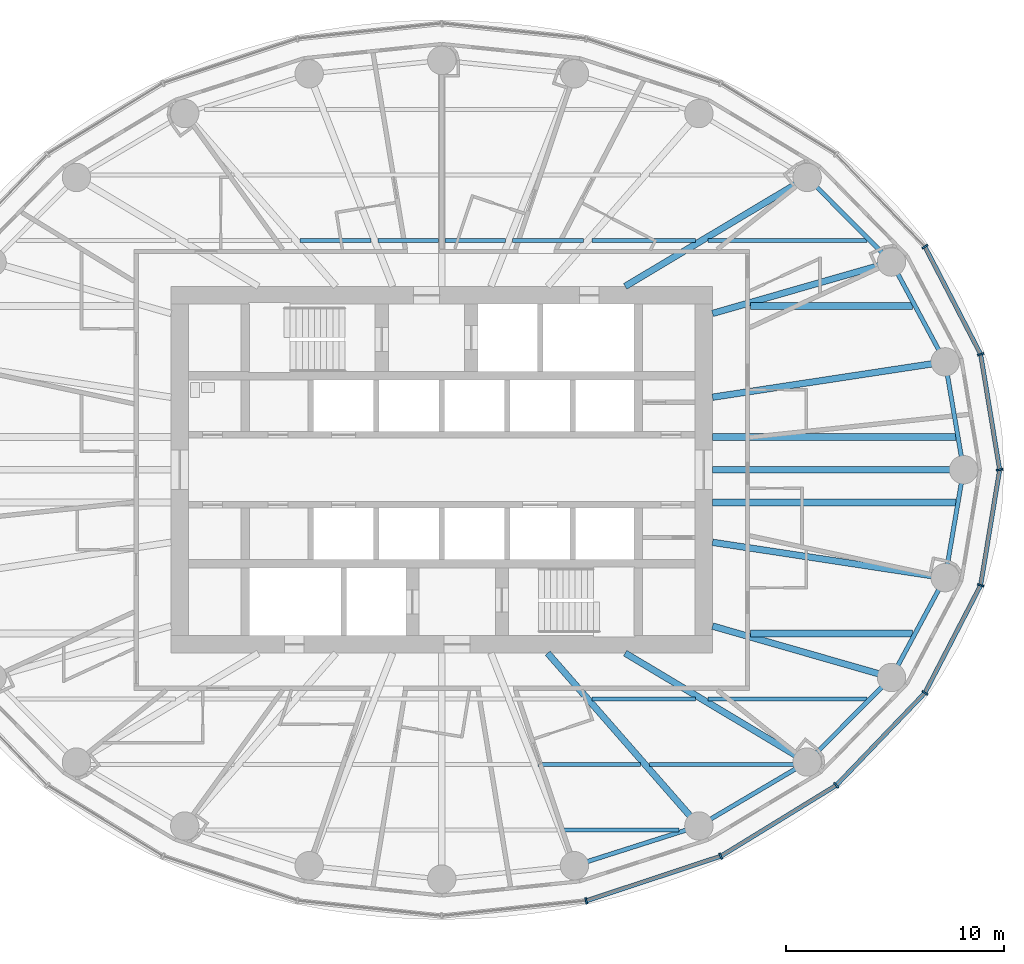
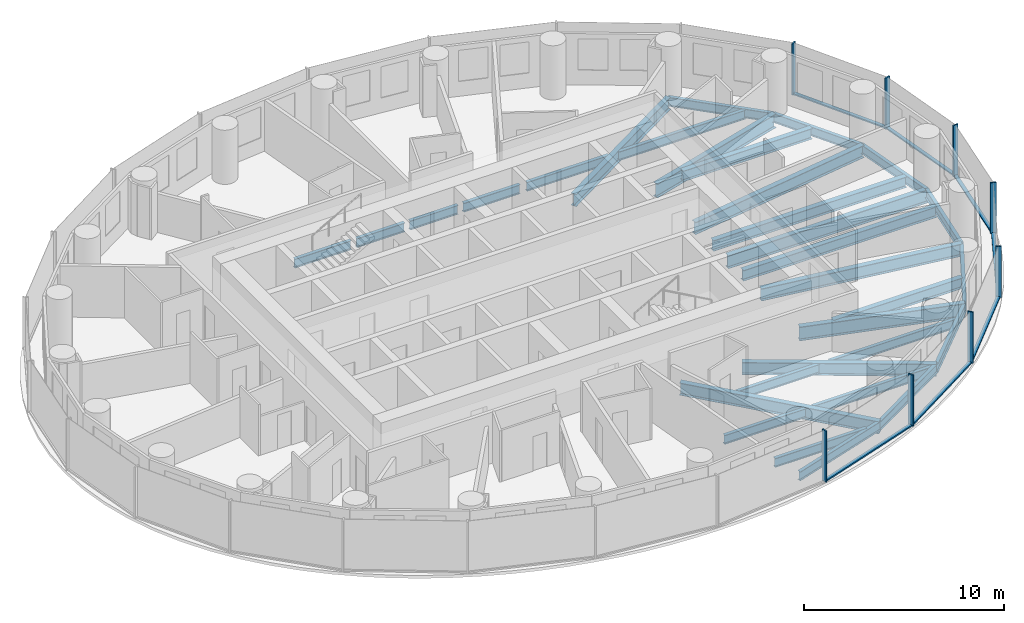
# One storey, part 3 of 14: 31 beams, 15 members, 2 elements without a shape of their own.
"""IFC4 building model written with IfcOpenShell, lengths in metres."""

import ifcopenshell
import ifcopenshell.guid

model = None  # the IFC model being written
_history = None  # IfcOwnerHistory: only IFC2X3 demands one
_inside = {}  # id of a spatial element -> (the spatial element, [elements in it])
_under = {}  # id of a project, library or spatial element -> (it, [spatial elements below it])
_declared = {}  # id of a project -> (the project, [libraries it declares])
_typed = {}  # id of a type object -> (the type object, [elements of that type])
_made_of = {}  # id of a material, layer set ... -> (it, [elements and type objects made of it])


def new_model(schema):
    """Start an empty IFC model of exactly this schema.

    Asked for "IFC4X3", IfcOpenShell would pick the latest addendum, in which some entities
    have other attributes; the version numbers below select the first issue.
    IFC2X3 requires an IfcOwnerHistory on every rooted entity: one is made here for all.
    """
    global model, _history
    if schema == "IFC4X3":
        model = ifcopenshell.file(schema_version=(4, 3, 0, 0))
    else:
        model = ifcopenshell.file(schema=schema)
    _inside.clear()
    _under.clear()
    _declared.clear()
    _typed.clear()
    _made_of.clear()
    _history = None
    if model.schema == "IFC2X3":
        org = make("IfcOrganization", Name="unknown")
        user = make(
            "IfcPersonAndOrganization",
            ThePerson=make("IfcPerson", FamilyName="unknown"),
            TheOrganization=org,
        )
        app = make(
            "IfcApplication",
            ApplicationDeveloper=org,
            Version="unknown",
            ApplicationFullName="unknown",
            ApplicationIdentifier="unknown",
        )
        _history = make(
            "IfcOwnerHistory",
            OwningUser=user,
            OwningApplication=app,
            ChangeAction="ADDED",
            CreationDate=0,
        )
    return model


def make(cls, **values):
    """One entity of the class cls with the attributes given. An attribute that is None is left unset."""
    return model.create_entity(
        cls, **{name: value for name, value in values.items() if value is not None}
    )


def rooted(cls, **values):
    """An entity with a GlobalId (a new one), such as an element, a storey or a relation."""
    return make(cls, GlobalId=ifcopenshell.guid.new(), OwnerHistory=_history, **values)


def si_unit(unit_type, name, prefix=None):
    """IfcSIUnit, for example si_unit("LENGTHUNIT", "METRE", prefix="MILLI")."""
    return make("IfcSIUnit", UnitType=unit_type, Prefix=prefix, Name=name)


def assignment(units):
    """IfcUnitAssignment: the units of a project."""
    return None if units is None else make("IfcUnitAssignment", Units=units)


def point(xyz):
    """IfcCartesianPoint."""
    return None if xyz is None else make("IfcCartesianPoint", Coordinates=xyz)


def direction(xyz):
    """IfcDirection."""
    return None if xyz is None else make("IfcDirection", DirectionRatios=xyz)


def frame(location, z_axis=None, x_axis=None):
    """IfcAxis2Placement3D, a coordinate frame: its origin and axes. An axis left out is left unset."""
    return make(
        "IfcAxis2Placement3D",
        Location=point(location),
        Axis=direction(z_axis),
        RefDirection=direction(x_axis),
    )


def frame_2d(location, x_axis=None):
    """IfcAxis2Placement2D, a coordinate frame in the plane: its origin and x axis."""
    return make(
        "IfcAxis2Placement2D", Location=point(location), RefDirection=direction(x_axis)
    )


def origin():
    """The frame at (0, 0, 0) with its axes left unset."""
    return frame((0.0, 0.0, 0.0))


def origin_2d():
    """The frame at (0, 0) in the plane with its x axis left unset."""
    return frame_2d((0.0, 0.0))


def place(relative_to, where):
    """IfcLocalPlacement: puts the frame where relative to a parent placement (None: the world)."""
    return make(
        "IfcLocalPlacement", PlacementRelTo=relative_to, RelativePlacement=where
    )


def context(
    kind, dimensions, precision=None, world=None, true_north=None, identifier=None
):
    """IfcGeometricRepresentationContext, for example the 3D "Model" context."""
    return make(
        "IfcGeometricRepresentationContext",
        ContextIdentifier=identifier,
        ContextType=kind,
        CoordinateSpaceDimension=dimensions,
        Precision=precision,
        WorldCoordinateSystem=world,
        TrueNorth=true_north,
    )


def subcontext(parent, identifier, kind, view, scale=None):
    """IfcGeometricRepresentationSubContext, for example "Body" below "Model"."""
    return make(
        "IfcGeometricRepresentationSubContext",
        ContextIdentifier=identifier,
        ContextType=kind,
        ParentContext=parent,
        TargetScale=scale,
        TargetView=view,
    )


def project(units=None, contexts=None):
    """IfcProject with its units and contexts."""
    return rooted(
        "IfcProject",
        Name="project",
        RepresentationContexts=contexts,
        UnitsInContext=assignment(units),
    )


def spatial(cls, under=None, at=None, **own):
    """A site, building, storey or space (cls), placed at a placement, below another one or the project."""
    s = rooted(cls, ObjectPlacement=at, **own)
    if under is not None:
        _under.setdefault(under.id(), (under, []))[1].append(s)
    return s


def profile(cls, at=None, kind="AREA", **sizes):
    """A parametric profile (cls). Its sizes go by their IFC names, for example OverallWidth=200.0."""
    return make(cls, ProfileType=kind, Position=at, **sizes)


def rectangle(**sizes):
    """IfcRectangleProfileDef."""
    return profile("IfcRectangleProfileDef", **sizes)


def i_section(**sizes):
    """IfcIShapeProfileDef."""
    return profile("IfcIShapeProfileDef", **sizes)


def extrude(swept, where, along, depth):
    """IfcExtrudedAreaSolid: the profile swept, set in the frame where, extruded along a direction by depth."""
    return make(
        "IfcExtrudedAreaSolid",
        SweptArea=swept,
        Position=where,
        ExtrudedDirection=direction(along),
        Depth=depth,
    )


def shape(context_of_items, identifier, shape_type, items):
    """IfcShapeRepresentation: the items that make up one representation, for example the "Body"."""
    return make(
        "IfcShapeRepresentation",
        ContextOfItems=context_of_items,
        RepresentationIdentifier=identifier,
        RepresentationType=shape_type,
        Items=items,
    )


def material(Name=None, Category=None):
    """IfcMaterial."""
    return make("IfcMaterial", Name=Name, Category=Category)


def material_profile(
    of_material, cross_section, Name=None, Category=None, Priority=None
):
    """IfcMaterialProfile: a cross section and its material."""
    return make(
        "IfcMaterialProfile",
        Name=Name,
        Material=of_material,
        Profile=cross_section,
        Priority=Priority,
        Category=Category,
    )


def profile_set(profiles, Name=None, composite=None):
    """IfcMaterialProfileSet."""
    return make(
        "IfcMaterialProfileSet",
        Name=Name,
        MaterialProfiles=profiles,
        CompositeProfile=composite,
    )


def made_of(thing, what):
    """Note that an element or type object is made of a material, layer set ...; save() writes the relation."""
    if what is not None:
        _made_of.setdefault(what.id(), (what, []))[1].append(thing)
    return thing


def type_object(cls, material=None, **own):
    """A type object (cls), such as IfcWallType, which elements share."""
    return made_of(rooted(cls, **own), material)


def element(
    cls,
    number,
    at=None,
    inside=None,
    cuts=None,
    type_object=None,
    material=None,
    context=None,
    identifier="Body",
    shape_type=None,
    held_by="IfcProductDefinitionShape",
    body=None,
    shapes=None,
    **own,
):
    """One element of the class cls, such as IfcWall. Its Tag is "e" and its number.

    at: its placement. inside: the storey or other place that contains it. cuts: it is an
    opening in that element (IfcRelVoidsElement). A single representation is given by context,
    identifier, shape_type and body (its items); several are given by shapes. held_by: the class
    of the entity that holds the representations. save() writes the other relations.
    """
    e = rooted(cls, Tag="e%d" % number, ObjectPlacement=at, **own)
    if body is not None:
        shapes = [shape(context, identifier, shape_type, body)]
    if shapes is not None:
        e.Representation = make(held_by, Representations=shapes)
    if inside is not None:
        _inside.setdefault(inside.id(), (inside, []))[1].append(e)
    if cuts is not None:
        rooted(
            "IfcRelVoidsElement", RelatingBuildingElement=cuts, RelatedOpeningElement=e
        )
    if type_object is not None:
        _typed.setdefault(type_object.id(), (type_object, []))[1].append(e)
    return made_of(e, material)


def aggregate(whole, parts):
    """IfcRelAggregates: a whole, such as a stair, and the parts it consists of."""
    return rooted("IfcRelAggregates", RelatingObject=whole, RelatedObjects=parts)


def save(model, path):
    """Write the relations noted so far, then the file.

    IfcRelAggregates (storeys below a building ...), IfcRelContainedInSpatialStructure (elements
    in a storey), IfcRelDefinesByType, IfcRelAssociatesMaterial and IfcRelDeclares: one each for
    every whole, place, type object, material and project.
    """
    for whole, parts in _under.values():
        aggregate(whole, parts)
    for where, things in _inside.values():
        rooted(
            "IfcRelContainedInSpatialStructure",
            RelatedElements=things,
            RelatingStructure=where,
        )
    for kind, things in _typed.values():
        rooted("IfcRelDefinesByType", RelatedObjects=things, RelatingType=kind)
    for what, things in _made_of.values():
        rooted("IfcRelAssociatesMaterial", RelatedObjects=things, RelatingMaterial=what)
    for by, libraries in _declared.values():
        rooted("IfcRelDeclares", RelatingContext=by, RelatedDefinitions=libraries)
    model.write(path)


model = new_model("IFC4")

# Units and contexts
model_context = context("Model", 3, precision=1e-05, world=origin(), true_north=direction((0.0, 1.0)))
body_context = subcontext(model_context, "Body", "Model", "MODEL_VIEW")
ifc_project = project(units=[si_unit("LENGTHUNIT", "METRE"), si_unit("AREAUNIT", "SQUARE_METRE"), si_unit("VOLUMEUNIT", "CUBIC_METRE"), si_unit("PLANEANGLEUNIT", "RADIAN"), si_unit("MASSUNIT", "GRAM", prefix="KILO")], contexts=[model_context])

# Site, building, storey
site_placement = place(None, origin())
site = spatial("IfcSite", under=ifc_project, at=site_placement, CompositionType="ELEMENT")
building_placement = place(site_placement, origin())
building = spatial("IfcBuilding", under=site, at=building_placement, Name="Hankou Lantern Tower", CompositionType="ELEMENT")
storey_placement = place(building_placement, frame((0.0, 0.0, 115.5)))
storey = spatial("IfcBuildingStorey", under=building, at=storey_placement, Name="L29", CompositionType="ELEMENT", Elevation=115.5)

# Beams
ifc_material_1 = material(Name="Steel Q355B", Category="steel")
ifc_material_profile_1 = material_profile(ifc_material_1, i_section(OverallWidth=0.199951171875, OverallDepth=0.550048828125, WebThickness=0.010009765625, FlangeThickness=0.01611328125, FilletRadius=0.012939453125, at=origin_2d()), Name="HN550x200x10x16")
ifc_profile_set_1 = profile_set([ifc_material_profile_1], Name="Steel Q355B")
beam_type_1 = type_object("IfcBeamType", Name="EB6 RING BEAM HN550x200x10x16", PredefinedType="SPANDREL", material=ifc_profile_set_1)
beam_1_placement = place(storey_placement, frame((23.89990234375, 0.0, -0.455078125), z_axis=(-0.168527258545, 0.985696993567, 0.0), x_axis=(-0.985696993567, -0.168527258545, 0.0)))
element("IfcBeam", 1, at=beam_1_placement, inside=storey, type_object=beam_type_1, Name="Ring beam R01-R02 L29", PredefinedType="SPANDREL", context=body_context, shape_type="SweptSolid", body=[
    extrude(i_section(OverallWidth=0.199951171875, OverallDepth=0.550048828125, WebThickness=0.010009765625, FlangeThickness=0.01611328125, FilletRadius=0.012939453125, at=origin_2d()), origin(), (0.0, 0.0, 1.0), 5.013916015625),
])
beam_2_placement = place(storey_placement, frame((23.054931640625, 4.942138671875, -0.455078125), z_axis=(-0.473824901673, 0.880619079145, 0.0), x_axis=(-0.880619079145, -0.473824901673, 0.0)))
element("IfcBeam", 2, at=beam_2_placement, inside=storey, type_object=beam_type_1, Name="Ring beam R02-R03 L29", PredefinedType="SPANDREL", context=body_context, shape_type="SweptSolid", body=[
    extrude(i_section(OverallWidth=0.199951171875, OverallDepth=0.550048828125, WebThickness=0.010009765625, FlangeThickness=0.01611328125, FilletRadius=0.012939453125, at=origin_2d()), origin(), (0.0, 0.0, 1.0), 5.190185546875),
])
beam_3_placement = place(storey_placement, frame((20.595703125, 9.5126953125, -0.455078125), z_axis=(-0.705945468625, 0.708266189599, 0.0), x_axis=(-0.708266189599, -0.705945468625, 0.0)))
element("IfcBeam", 3, at=beam_3_placement, inside=storey, type_object=beam_type_1, Name="Ring beam R03-R04 L29", PredefinedType="SPANDREL", context=body_context, shape_type="SweptSolid", body=[
    extrude(i_section(OverallWidth=0.199951171875, OverallDepth=0.550048828125, WebThickness=0.010009765625, FlangeThickness=0.01611328125, FilletRadius=0.012939453125, at=origin_2d()), origin(), (0.0, 0.0, 1.0), 5.470458984375),
])
beam_4_placement = place(storey_placement, frame((6.073974609375, -18.134521484375, -0.455078125), z_axis=(0.952731090451, 0.303814860215, 0.0), x_axis=(-0.303814860215, 0.952731090451, 0.0)))
element("IfcBeam", 4, at=beam_4_placement, inside=storey, type_object=beam_type_1, Name="Ring beam R20-R21 L29", PredefinedType="SPANDREL", context=body_context, shape_type="SweptSolid", body=[
    extrude(i_section(OverallWidth=0.199951171875, OverallDepth=0.550048828125, WebThickness=0.010009765625, FlangeThickness=0.01611328125, FilletRadius=0.012939453125, at=origin_2d()), origin(), (0.0, 0.0, 1.0), 5.984375),
])
beam_5_placement = place(storey_placement, frame((11.775390625, -16.31640625, -0.455078125), z_axis=(0.860988974188, 0.508623619513, 0.0), x_axis=(-0.508623619513, 0.860988974188, 0.0)))
element("IfcBeam", 5, at=beam_5_placement, inside=storey, type_object=beam_type_1, Name="Ring beam R21-R22 L29", PredefinedType="SPANDREL", context=body_context, shape_type="SweptSolid", body=[
    extrude(i_section(OverallWidth=0.199951171875, OverallDepth=0.550048828125, WebThickness=0.010009765625, FlangeThickness=0.01611328125, FilletRadius=0.012939453125, at=origin_2d()), origin(), (0.0, 0.0, 1.0), 5.759033203125),
])
beam_6_placement = place(storey_placement, frame((16.73388671875, -13.38720703125, -0.455078125), z_axis=(0.705945468625, 0.708266189599, 0.0), x_axis=(-0.708266189599, 0.705945468625, 0.0)))
element("IfcBeam", 6, at=beam_6_placement, inside=storey, type_object=beam_type_1, Name="Ring beam R22-R23 L29", PredefinedType="SPANDREL", context=body_context, shape_type="SweptSolid", body=[
    extrude(i_section(OverallWidth=0.199951171875, OverallDepth=0.550048828125, WebThickness=0.010009765625, FlangeThickness=0.01611328125, FilletRadius=0.012939453125, at=origin_2d()), origin(), (0.0, 0.0, 1.0), 5.470458984375),
])
beam_7_placement = place(storey_placement, frame((20.595703125, -9.5126953125, -0.455078125), z_axis=(0.473824901673, 0.880619079145, 0.0), x_axis=(-0.880619079145, 0.473824901673, 0.0)))
element("IfcBeam", 7, at=beam_7_placement, inside=storey, type_object=beam_type_1, Name="Ring beam R23-R24 L29", PredefinedType="SPANDREL", context=body_context, shape_type="SweptSolid", body=[
    extrude(i_section(OverallWidth=0.199951171875, OverallDepth=0.550048828125, WebThickness=0.010009765625, FlangeThickness=0.01611328125, FilletRadius=0.012939453125, at=origin_2d()), origin(), (0.0, 0.0, 1.0), 5.190185546875),
])
beam_8_placement = place(storey_placement, frame((23.054931640625, -4.942138671875, -0.455078125), z_axis=(0.168527258545, 0.985696993567, 0.0), x_axis=(-0.985696993567, 0.168527258545, 0.0)))
element("IfcBeam", 8, at=beam_8_placement, inside=storey, type_object=beam_type_1, Name="Ring beam R24-R01 L29", PredefinedType="SPANDREL", context=body_context, shape_type="SweptSolid", body=[
    extrude(i_section(OverallWidth=0.199951171875, OverallDepth=0.550048828125, WebThickness=0.010009765625, FlangeThickness=0.01611328125, FilletRadius=0.012939453125, at=origin_2d()), origin(), (0.0, 0.0, 1.0), 5.013916015625),
])

# Curtain wall, members
ifc_material_2 = material(Name="Glass, dark grey tinted laminated", Category="glass")
curtain_wall_type = type_object("IfcCurtainWallType", Name="CWB OUTER SKIN MID-RISE", PredefinedType="USERDEFINED", material=ifc_material_2)
curtain_wall_1_placement = place(storey_placement, origin())
curtain_wall_1 = element("IfcCurtainWall", 9, at=curtain_wall_1_placement, inside=storey, type_object=curtain_wall_type, Name="CWB L29 OS1", ObjectType="OUTER SKIN MID-RISE", PredefinedType="USERDEFINED")
ifc_material_3 = material(Name="Aluminium, black anodised", Category="aluminium")
ifc_material_profile_2 = material_profile(ifc_material_3, rectangle(XDim=0.080078125, YDim=0.300048828125, at=origin_2d()), Name="MU1 80X300")
ifc_profile_set_2 = profile_set([ifc_material_profile_2], Name="Aluminium, black anodised")
member_type_1 = type_object("IfcMemberType", Name="MU1 OUTER SKIN MULLION 80X300", PredefinedType="MULLION", material=ifc_profile_set_2)
member_1_placement = place(storey_placement, frame((25.550048828125, 0.0, 0.0), z_axis=(0.0, 0.0, 1.0), x_axis=(-0.162381515188, 0.986728049427, 0.0)))
member_1 = element("IfcMember", 10, at=member_1_placement, type_object=member_type_1, Name="CWB mullion 1", PredefinedType="MULLION", context=body_context, shape_type="SweptSolid", body=[
    extrude(rectangle(XDim=0.080078125, YDim=0.300048828125, at=origin_2d()), origin(), (0.0, 0.0, 1.0), 3.1201171875),
])
member_2_placement = place(storey_placement, frame((24.679443359375, 5.290283203125, 0.0), z_axis=(0.0, 0.0, 1.0), x_axis=(-0.317595577365, 0.94822626479, 0.0)))
member_2 = element("IfcMember", 11, at=member_2_placement, type_object=member_type_1, Name="CWB mullion 2", PredefinedType="MULLION", context=body_context, shape_type="SweptSolid", body=[
    extrude(rectangle(XDim=0.080078125, YDim=0.300048828125, at=origin_2d()), origin(), (0.0, 0.0, 1.0), 3.1201171875),
])
member_3_placement = place(storey_placement, frame((22.126953125, 10.219970703125, 0.0), z_axis=(0.0, 0.0, 1.0), x_axis=(-0.585205735974, 0.810884854084, 0.0)))
member_3 = element("IfcMember", 12, at=member_3_placement, type_object=member_type_1, Name="CWB mullion 3", PredefinedType="MULLION", context=body_context, shape_type="SweptSolid", body=[
    extrude(rectangle(XDim=0.080078125, YDim=0.300048828125, at=origin_2d()), origin(), (0.0, 0.0, 1.0), 3.1201171875),
])

curtain_wall_2_placement = place(storey_placement, origin())
curtain_wall_2 = element("IfcCurtainWall", 13, at=curtain_wall_2_placement, inside=storey, type_object=curtain_wall_type, Name="CWB L29 OS4", ObjectType="OUTER SKIN MID-RISE", PredefinedType="USERDEFINED")
member_4_placement = place(storey_placement, frame((6.61279296875, -19.743408203125, 0.0), z_axis=(0.0, 0.0, 1.0), x_axis=(0.977787659625, 0.209597931016, 0.0)))
member_4 = element("IfcMember", 14, at=member_4_placement, type_object=member_type_1, Name="CWB mullion 2", PredefinedType="MULLION", context=body_context, shape_type="SweptSolid", body=[
    extrude(rectangle(XDim=0.080078125, YDim=0.300048828125, at=origin_2d()), origin(), (0.0, 0.0, 1.0), 3.1201171875),
])
member_5_placement = place(storey_placement, frame((12.77490234375, -17.70166015625, 0.0), z_axis=(0.0, 0.0, 1.0), x_axis=(0.907841299004, 0.419313934686, 0.0)))
member_5 = element("IfcMember", 15, at=member_5_placement, type_object=member_type_1, Name="CWB mullion 3", PredefinedType="MULLION", context=body_context, shape_type="SweptSolid", body=[
    extrude(rectangle(XDim=0.080078125, YDim=0.300048828125, at=origin_2d()), origin(), (0.0, 0.0, 1.0), 3.1201171875),
])
member_6_placement = place(storey_placement, frame((18.066650390625, -14.453369140625, 0.0), z_axis=(0.0, 0.0, 1.0), x_axis=(0.780868809444, 0.624695047553, 0.0)))
member_6 = element("IfcMember", 16, at=member_6_placement, type_object=member_type_1, Name="CWB mullion 4", PredefinedType="MULLION", context=body_context, shape_type="SweptSolid", body=[
    extrude(rectangle(XDim=0.080078125, YDim=0.300048828125, at=origin_2d()), origin(), (0.0, 0.0, 1.0), 3.1201171875),
])
member_7_placement = place(storey_placement, frame((22.126953125, -10.219970703125, 0.0), z_axis=(0.0, 0.0, 1.0), x_axis=(0.585205735974, 0.810884854084, 0.0)))
member_7 = element("IfcMember", 17, at=member_7_placement, type_object=member_type_1, Name="CWB mullion 5", PredefinedType="MULLION", context=body_context, shape_type="SweptSolid", body=[
    extrude(rectangle(XDim=0.080078125, YDim=0.300048828125, at=origin_2d()), origin(), (0.0, 0.0, 1.0), 3.1201171875),
])
member_8_placement = place(storey_placement, frame((24.679443359375, -5.290283203125, 0.0), z_axis=(0.0, 0.0, 1.0), x_axis=(0.317595577365, 0.94822626479, 0.0)))
member_8 = element("IfcMember", 18, at=member_8_placement, type_object=member_type_1, Name="CWB mullion 6", PredefinedType="MULLION", context=body_context, shape_type="SweptSolid", body=[
    extrude(rectangle(XDim=0.080078125, YDim=0.300048828125, at=origin_2d()), origin(), (0.0, 0.0, 1.0), 3.1201171875),
])

# Beams
ifc_material_4 = material(Name="Steel Q355B", Category="steel")
ifc_material_profile_3 = material_profile(ifc_material_4, i_section(OverallWidth=0.300048828125, OverallDepth=0.75, WebThickness=0.012939453125, FlangeThickness=0.02392578125, FilletRadius=0.01806640625, at=origin_2d()), Name="HN750x300x13x24")
ifc_profile_set_3 = profile_set([ifc_material_profile_3], Name="Steel Q355B")
beam_type_2 = type_object("IfcBeamType", Name="RB10 RADIAL BEAM HN750x300x13x24", PredefinedType="BEAM", material=ifc_profile_set_3)
beam_9_placement = place(storey_placement, frame((12.39990234375, 3.322509765625, -0.554931640625), z_axis=(0.988643506875, 0.150279793429, 0.0), x_axis=(-0.150279793429, 0.988643506875, 0.0)))
element("IfcBeam", 19, at=beam_9_placement, inside=storey, type_object=beam_type_2, Name="Radial beam R02 L29", PredefinedType="BEAM", context=body_context, shape_type="SweptSolid", body=[
    extrude(i_section(OverallWidth=0.300048828125, OverallDepth=0.75, WebThickness=0.012939453125, FlangeThickness=0.02392578125, FilletRadius=0.01806640625, at=origin_2d()), origin(), (0.0, 0.0, 1.0), 10.77734375),
])
beam_10_placement = place(storey_placement, frame((8.39990234375, 8.39990234375, -0.554931640625), z_axis=(0.858086776551, 0.513504706802, 0.0), x_axis=(-0.513504706802, 0.858086776551, 0.0)))
element("IfcBeam", 20, at=beam_10_placement, inside=storey, type_object=beam_type_2, Name="Radial beam R04 L29", PredefinedType="BEAM", context=body_context, shape_type="SweptSolid", body=[
    extrude(i_section(OverallWidth=0.300048828125, OverallDepth=0.75, WebThickness=0.012939453125, FlangeThickness=0.02392578125, FilletRadius=0.01806640625, at=origin_2d()), origin(), (0.0, 0.0, 1.0), 9.71240234375),
])
beam_11_placement = place(storey_placement, frame((4.849853515625, -8.39990234375, -0.554931640625), z_axis=(0.658429014446, -0.752642832249, 0.0), x_axis=(0.752642832249, 0.658429014446, 0.0)))
element("IfcBeam", 21, at=beam_11_placement, inside=storey, type_object=beam_type_2, Name="Radial beam R21 L29", PredefinedType="BEAM", context=body_context, shape_type="SweptSolid", body=[
    extrude(i_section(OverallWidth=0.300048828125, OverallDepth=0.75, WebThickness=0.012939453125, FlangeThickness=0.02392578125, FilletRadius=0.01806640625, at=origin_2d()), origin(), (0.0, 0.0, 1.0), 10.518310546875),
])
beam_12_placement = place(storey_placement, frame((8.39990234375, -8.39990234375, -0.554931640625), z_axis=(0.858086776551, -0.513504706802, 0.0), x_axis=(0.513504706802, 0.858086776551, 0.0)))
element("IfcBeam", 22, at=beam_12_placement, inside=storey, type_object=beam_type_2, Name="Radial beam R22 L29", PredefinedType="BEAM", context=body_context, shape_type="SweptSolid", body=[
    extrude(i_section(OverallWidth=0.300048828125, OverallDepth=0.75, WebThickness=0.012939453125, FlangeThickness=0.02392578125, FilletRadius=0.01806640625, at=origin_2d()), origin(), (0.0, 0.0, 1.0), 9.71240234375),
])
beam_13_placement = place(storey_placement, frame((12.39990234375, -3.322509765625, -0.554931640625), z_axis=(0.988643506875, -0.150279793429, 0.0), x_axis=(0.150279793429, 0.988643506875, 0.0)))
element("IfcBeam", 23, at=beam_13_placement, inside=storey, type_object=beam_type_2, Name="Radial beam R24 L29", PredefinedType="BEAM", context=body_context, shape_type="SweptSolid", body=[
    extrude(i_section(OverallWidth=0.300048828125, OverallDepth=0.75, WebThickness=0.012939453125, FlangeThickness=0.02392578125, FilletRadius=0.01806640625, at=origin_2d()), origin(), (0.0, 0.0, 1.0), 10.77734375),
])
ifc_material_5 = material(Name="Steel Q355B", Category="steel")
ifc_material_profile_4 = material_profile(ifc_material_5, i_section(OverallWidth=0.300048828125, OverallDepth=0.800048828125, WebThickness=0.013916015625, FlangeThickness=0.02587890625, FilletRadius=0.01806640625, at=origin_2d()), Name="HN800x300x14x26")
ifc_profile_set_4 = profile_set([ifc_material_profile_4], Name="Steel Q355B")
beam_type_3 = type_object("IfcBeamType", Name="RB11 RADIAL BEAM HN800x300x14x26", PredefinedType="BEAM", material=ifc_profile_set_4)
beam_14_placement = place(storey_placement, frame((12.39990234375, 0.0, -0.580078125), z_axis=(1.0, 0.0, 0.0), x_axis=(0.0, 1.0, 0.0)))
element("IfcBeam", 24, at=beam_14_placement, inside=storey, type_object=beam_type_3, Name="Radial beam R01 L29", PredefinedType="BEAM", context=body_context, shape_type="SweptSolid", body=[
    extrude(i_section(OverallWidth=0.300048828125, OverallDepth=0.800048828125, WebThickness=0.013916015625, FlangeThickness=0.02587890625, FilletRadius=0.01806640625, at=origin_2d()), origin(), (0.0, 0.0, 1.0), 11.5),
])
ifc_material_6 = material(Name="Steel Q355B", Category="steel")
ifc_material_profile_5 = material_profile(ifc_material_6, i_section(OverallWidth=0.300048828125, OverallDepth=0.85009765625, WebThickness=0.01611328125, FlangeThickness=0.027099609375, FilletRadius=0.01806640625, at=origin_2d()), Name="HN850x300x16x27")
ifc_profile_set_5 = profile_set([ifc_material_profile_5], Name="Steel Q355B")
beam_type_4 = type_object("IfcBeamType", Name="RB12 RADIAL BEAM HN850x300x16x27", PredefinedType="BEAM", material=ifc_profile_set_5)
for number, where, z_axis, x_axis, name in (
    (25, (12.39990234375, 7.1591796875, -0.60498046875), (0.961155741911, 0.276006593745, 0.0), (-0.276006593745, 0.961155741911, 0.0), "Radial beam R03 L29"),
    (26, (12.39990234375, -7.1591796875, -0.60498046875), (0.961155741911, -0.276006593745, 0.0), (0.276006593745, 0.961155741911, 0.0), "Radial beam R23 L29"),
):
    element("IfcBeam", number, at=place(storey_placement, frame(where, z_axis=z_axis, x_axis=x_axis)), inside=storey, type_object=beam_type_4, Name=name, PredefinedType="BEAM", context=body_context, shape_type="SweptSolid", body=[
        extrude(i_section(OverallWidth=0.300048828125, OverallDepth=0.85009765625, WebThickness=0.01611328125, FlangeThickness=0.027099609375, FilletRadius=0.01806640625, at=origin_2d()), origin(), (0.0, 0.0, 1.0), 8.527099609375),
    ])
ifc_material_7 = material(Name="Steel Q355B", Category="steel")
ifc_material_profile_6 = material_profile(ifc_material_7, i_section(OverallWidth=0.199951171875, OverallDepth=0.550048828125, WebThickness=0.010009765625, FlangeThickness=0.01611328125, FilletRadius=0.012939453125, at=origin_2d()), Name="HN550x200x10x16")
ifc_profile_set_6 = profile_set([ifc_material_profile_6], Name="Steel Q355B")
beam_type_5 = type_object("IfcBeamType", Name="SB6 SECONDARY BEAM HN550x200x10x16", PredefinedType="JOIST", material=ifc_profile_set_6)
beam_15_placement = place(storey_placement, frame((5.59326171875, -16.5, -0.455078125), z_axis=(1.0, 0.0, 0.0), x_axis=(0.0, 1.0, 0.0)))
element("IfcBeam", 27, at=beam_15_placement, inside=storey, type_object=beam_type_5, Name="Floor joist J004 L29", PredefinedType="JOIST", context=body_context, shape_type="SweptSolid", body=[
    extrude(i_section(OverallWidth=0.199951171875, OverallDepth=0.550048828125, WebThickness=0.010009765625, FlangeThickness=0.01611328125, FilletRadius=0.012939453125, at=origin_2d()), origin(), (0.0, 0.0, 1.0), 5.27685546875),
])
beam_16_placement = place(storey_placement, frame((4.4150390625, -13.5, -0.455078125), z_axis=(1.0, 0.0, 0.0), x_axis=(0.0, 1.0, 0.0)))
element("IfcBeam", 28, at=beam_16_placement, inside=storey, type_object=beam_type_5, Name="Floor joist J009 L29", PredefinedType="JOIST", context=body_context, shape_type="SweptSolid", body=[
    extrude(i_section(OverallWidth=0.199951171875, OverallDepth=0.550048828125, WebThickness=0.010009765625, FlangeThickness=0.01611328125, FilletRadius=0.012939453125, at=origin_2d()), origin(), (0.0, 0.0, 1.0), 4.697021484375),
])
beam_17_placement = place(storey_placement, frame((9.5107421875, -13.5, -0.455078125), z_axis=(1.0, 0.0, 0.0), x_axis=(0.0, 1.0, 0.0)))
element("IfcBeam", 29, at=beam_17_placement, inside=storey, type_object=beam_type_5, Name="Floor joist J010 L29", PredefinedType="JOIST", context=body_context, shape_type="SweptSolid", body=[
    extrude(i_section(OverallWidth=0.199951171875, OverallDepth=0.550048828125, WebThickness=0.010009765625, FlangeThickness=0.01611328125, FilletRadius=0.012939453125, at=origin_2d()), origin(), (0.0, 0.0, 1.0), 6.83544921875),
])
beam_18_placement = place(storey_placement, frame((6.88623046875, -10.5, -0.455078125), z_axis=(1.0, 0.0, 0.0), x_axis=(0.0, 1.0, 0.0)))
element("IfcBeam", 30, at=beam_18_placement, inside=storey, type_object=beam_type_5, Name="Floor joist J017 L29", PredefinedType="JOIST", context=body_context, shape_type="SweptSolid", body=[
    extrude(i_section(OverallWidth=0.199951171875, OverallDepth=0.550048828125, WebThickness=0.010009765625, FlangeThickness=0.01611328125, FilletRadius=0.012939453125, at=origin_2d()), origin(), (0.0, 0.0, 1.0), 4.73095703125),
])
beam_19_placement = place(storey_placement, frame((12.201416015625, -10.5, -0.455078125), z_axis=(1.0, 0.0, 0.0), x_axis=(0.0, 1.0, 0.0)))
element("IfcBeam", 31, at=beam_19_placement, inside=storey, type_object=beam_type_5, Name="Floor joist J018 L29", PredefinedType="JOIST", context=body_context, shape_type="SweptSolid", body=[
    extrude(i_section(OverallWidth=0.199951171875, OverallDepth=0.550048828125, WebThickness=0.010009765625, FlangeThickness=0.01611328125, FilletRadius=0.012939453125, at=origin_2d()), origin(), (0.0, 0.0, 1.0), 7.26904296875),
])
beam_20_placement = place(storey_placement, frame((-6.487548828125, 10.5, -0.455078125), z_axis=(1.0, 0.0, 0.0), x_axis=(0.0, 1.0, 0.0)))
element("IfcBeam", 32, at=beam_20_placement, inside=storey, type_object=beam_type_5, Name="Floor joist J037 L29", PredefinedType="JOIST", context=body_context, shape_type="SweptSolid", body=[
    extrude(i_section(OverallWidth=0.199951171875, OverallDepth=0.550048828125, WebThickness=0.010009765625, FlangeThickness=0.01611328125, FilletRadius=0.012939453125, at=origin_2d()), origin(), (0.0, 0.0, 1.0), 3.2509765625),
])
for number, where, z_axis, x_axis, name in (
    (33, (-2.914306640625, 10.5, -0.455078125), (1.0, 0.0, 0.0), (0.0, 1.0, 0.0), "Floor joist J038 L29"),
    (34, (0.14990234375, 10.5, -0.455078125), (1.0, 0.0, 0.0), (0.0, 1.0, 0.0), "Floor joist J039 L29"),
):
    element("IfcBeam", number, at=place(storey_placement, frame(where, z_axis=z_axis, x_axis=x_axis)), inside=storey, type_object=beam_type_5, Name=name, PredefinedType="JOIST", context=body_context, shape_type="SweptSolid", body=[
        extrude(i_section(OverallWidth=0.199951171875, OverallDepth=0.550048828125, WebThickness=0.010009765625, FlangeThickness=0.01611328125, FilletRadius=0.012939453125, at=origin_2d()), origin(), (0.0, 0.0, 1.0), 2.764404296875),
    ])
beam_21_placement = place(storey_placement, frame((3.236572265625, 10.5, -0.455078125), z_axis=(1.0, 0.0, 0.0), x_axis=(0.0, 1.0, 0.0)))
element("IfcBeam", 35, at=beam_21_placement, inside=storey, type_object=beam_type_5, Name="Floor joist J040 L29", PredefinedType="JOIST", context=body_context, shape_type="SweptSolid", body=[
    extrude(i_section(OverallWidth=0.199951171875, OverallDepth=0.550048828125, WebThickness=0.010009765625, FlangeThickness=0.01611328125, FilletRadius=0.012939453125, at=origin_2d()), origin(), (0.0, 0.0, 1.0), 3.2509765625),
])
beam_22_placement = place(storey_placement, frame((6.88623046875, 10.5, -0.455078125), z_axis=(1.0, 0.0, 0.0), x_axis=(0.0, 1.0, 0.0)))
element("IfcBeam", 36, at=beam_22_placement, inside=storey, type_object=beam_type_5, Name="Floor joist J041 L29", PredefinedType="JOIST", context=body_context, shape_type="SweptSolid", body=[
    extrude(i_section(OverallWidth=0.199951171875, OverallDepth=0.550048828125, WebThickness=0.010009765625, FlangeThickness=0.01611328125, FilletRadius=0.012939453125, at=origin_2d()), origin(), (0.0, 0.0, 1.0), 4.73095703125),
])
beam_23_placement = place(storey_placement, frame((12.201416015625, 10.5, -0.455078125), z_axis=(1.0, 0.0, 0.0), x_axis=(0.0, 1.0, 0.0)))
element("IfcBeam", 37, at=beam_23_placement, inside=storey, type_object=beam_type_5, Name="Floor joist J042 L29", PredefinedType="JOIST", context=body_context, shape_type="SweptSolid", body=[
    extrude(i_section(OverallWidth=0.199951171875, OverallDepth=0.550048828125, WebThickness=0.010009765625, FlangeThickness=0.01611328125, FilletRadius=0.012939453125, at=origin_2d()), origin(), (0.0, 0.0, 1.0), 7.26904296875),
])
ifc_material_8 = material(Name="Steel Q355B", Category="steel")
ifc_material_profile_7 = material_profile(ifc_material_8, i_section(OverallWidth=0.300048828125, OverallDepth=0.64990234375, WebThickness=0.010986328125, FlangeThickness=0.01708984375, FilletRadius=0.01806640625, at=origin_2d()), Name="HN650x300x11x17")
ifc_profile_set_7 = profile_set([ifc_material_profile_7], Name="Steel Q355B")
beam_type_6 = type_object("IfcBeamType", Name="SB8 SECONDARY BEAM HN650x300x11x17", PredefinedType="JOIST", material=ifc_profile_set_7)
beam_24_placement = place(storey_placement, frame((14.13037109375, -7.5, -0.5048828125), z_axis=(1.0, 0.0, 0.0), x_axis=(0.0, 1.0, 0.0)))
element("IfcBeam", 38, at=beam_24_placement, inside=storey, type_object=beam_type_6, Name="Floor joist J020 L29", PredefinedType="JOIST", context=body_context, shape_type="SweptSolid", body=[
    extrude(i_section(OverallWidth=0.300048828125, OverallDepth=0.64990234375, WebThickness=0.010986328125, FlangeThickness=0.01708984375, FilletRadius=0.01806640625, at=origin_2d()), origin(), (0.0, 0.0, 1.0), 7.4345703125),
])
for number, where, z_axis, x_axis, name in (
    (39, (12.39990234375, -1.5, -0.5048828125), (1.0, 0.0, 0.0), (0.0, 1.0, 0.0), "Floor joist J026 L29"),
    (40, (12.39990234375, 1.5, -0.5048828125), (1.0, 0.0, 0.0), (0.0, 1.0, 0.0), "Floor joist J028 L29"),
):
    element("IfcBeam", number, at=place(storey_placement, frame(where, z_axis=z_axis, x_axis=x_axis)), inside=storey, type_object=beam_type_6, Name=name, PredefinedType="JOIST", context=body_context, shape_type="SweptSolid", body=[
        extrude(i_section(OverallWidth=0.300048828125, OverallDepth=0.64990234375, WebThickness=0.010986328125, FlangeThickness=0.01708984375, FilletRadius=0.01806640625, at=origin_2d()), origin(), (0.0, 0.0, 1.0), 11.14208984375),
    ])
beam_25_placement = place(storey_placement, frame((14.13037109375, 7.5, -0.5048828125), z_axis=(1.0, 0.0, 0.0), x_axis=(0.0, 1.0, 0.0)))
element("IfcBeam", 41, at=beam_25_placement, inside=storey, type_object=beam_type_6, Name="Floor joist J034 L29", PredefinedType="JOIST", context=body_context, shape_type="SweptSolid", body=[
    extrude(i_section(OverallWidth=0.300048828125, OverallDepth=0.64990234375, WebThickness=0.010986328125, FlangeThickness=0.01708984375, FilletRadius=0.01806640625, at=origin_2d()), origin(), (0.0, 0.0, 1.0), 7.4345703125),
])

# Member
ifc_material_9 = material(Name="Aluminium, black anodised", Category="aluminium")
ifc_material_profile_8 = material_profile(ifc_material_9, rectangle(XDim=0.199951171875, YDim=0.080078125, at=origin_2d()), Name="TR1 200X80")
ifc_profile_set_8 = profile_set([ifc_material_profile_8], Name="Aluminium, black anodised")
member_type_2 = type_object("IfcMemberType", Name="TR1 OUTER SKIN TRANSOM 200X80", PredefinedType="USERDEFINED", material=ifc_profile_set_8)
member_9_placement = place(storey_placement, frame((25.54345703125, 0.03955078125, 0.0400390625), z_axis=(-0.162397124076, 0.986725480614, 0.0), x_axis=(-0.986725480614, -0.162397124076, 0.0)))
member_9 = element("IfcMember", 42, at=member_9_placement, type_object=member_type_2, Name="CWB transom 1", ObjectType="TRANSOM", PredefinedType="USERDEFINED", context=body_context, shape_type="SweptSolid", body=[
    extrude(rectangle(XDim=0.199951171875, YDim=0.080078125, at=origin_2d()), origin(), (0.0, 0.0, 1.0), 5.28125),
])

member_10_placement = place(storey_placement, frame((24.6611328125, 5.32568359375, 0.0400390625), z_axis=(-0.459805240543, 0.888019786249, 0.0), x_axis=(-0.888019786249, -0.459805240543, 0.0)))
member_10 = element("IfcMember", 43, at=member_10_placement, type_object=member_type_2, Name="CWB transom 2", ObjectType="TRANSOM", PredefinedType="USERDEFINED", context=body_context, shape_type="SweptSolid", body=[
    extrude(rectangle(XDim=0.199951171875, YDim=0.080078125, at=origin_2d()), origin(), (0.0, 0.0, 1.0), 5.4716796875),
])

aggregate(curtain_wall_1, [member_1, member_2, member_3, member_9, member_10])

member_11_placement = place(storey_placement, frame((6.65087890625, -19.73095703125, 0.0400390625), z_axis=(0.949237765745, 0.314559476225, 0.0), x_axis=(-0.314559476225, 0.949237765745, 0.0)))
member_11 = element("IfcMember", 44, at=member_11_placement, type_object=member_type_2, Name="CWB transom 2", ObjectType="TRANSOM", PredefinedType="USERDEFINED", context=body_context, shape_type="SweptSolid", body=[
    extrude(rectangle(XDim=0.199951171875, YDim=0.080078125, at=origin_2d()), origin(), (0.0, 0.0, 1.0), 6.41162109375),
])

member_12_placement = place(storey_placement, frame((12.80908203125, -17.6806640625, 0.0400390625), z_axis=(0.852229492169, 0.523168130411, 0.0), x_axis=(-0.523168130411, 0.852229492169, 0.0)))
member_12 = element("IfcMember", 45, at=member_12_placement, type_object=member_type_2, Name="CWB transom 3", ObjectType="TRANSOM", PredefinedType="USERDEFINED", context=body_context, shape_type="SweptSolid", body=[
    extrude(rectangle(XDim=0.199951171875, YDim=0.080078125, at=origin_2d()), origin(), (0.0, 0.0, 1.0), 6.129150390625),
])

member_13_placement = place(storey_placement, frame((18.09423828125, -14.42431640625, 0.0400390625), z_axis=(0.692226977748, 0.721679853729, 0.0), x_axis=(-0.721679853729, 0.692226977748, 0.0)))
member_13 = element("IfcMember", 46, at=member_13_placement, type_object=member_type_2, Name="CWB transom 4", ObjectType="TRANSOM", PredefinedType="USERDEFINED", context=body_context, shape_type="SweptSolid", body=[
    extrude(rectangle(XDim=0.199951171875, YDim=0.080078125, at=origin_2d()), origin(), (0.0, 0.0, 1.0), 5.785888671875),
])

member_14_placement = place(storey_placement, frame((22.145263671875, -10.1845703125, 0.0400390625), z_axis=(0.459805240543, 0.888019786249, 0.0), x_axis=(-0.888019786249, 0.459805240543, 0.0)))
member_14 = element("IfcMember", 47, at=member_14_placement, type_object=member_type_2, Name="CWB transom 5", ObjectType="TRANSOM", PredefinedType="USERDEFINED", context=body_context, shape_type="SweptSolid", body=[
    extrude(rectangle(XDim=0.199951171875, YDim=0.080078125, at=origin_2d()), origin(), (0.0, 0.0, 1.0), 5.4716796875),
])

member_15_placement = place(storey_placement, frame((24.685791015625, -5.250732421875, 0.0400390625), z_axis=(0.162397124076, 0.986725480614, 0.0), x_axis=(-0.986725480614, 0.162397124076, 0.0)))
member_15 = element("IfcMember", 48, at=member_15_placement, type_object=member_type_2, Name="CWB transom 6", ObjectType="TRANSOM", PredefinedType="USERDEFINED", context=body_context, shape_type="SweptSolid", body=[
    extrude(rectangle(XDim=0.199951171875, YDim=0.080078125, at=origin_2d()), origin(), (0.0, 0.0, 1.0), 5.28125),
])

aggregate(curtain_wall_2, [member_4, member_5, member_6, member_7, member_8, member_11, member_12, member_13, member_14, member_15])

save(model, "model.ifc")
